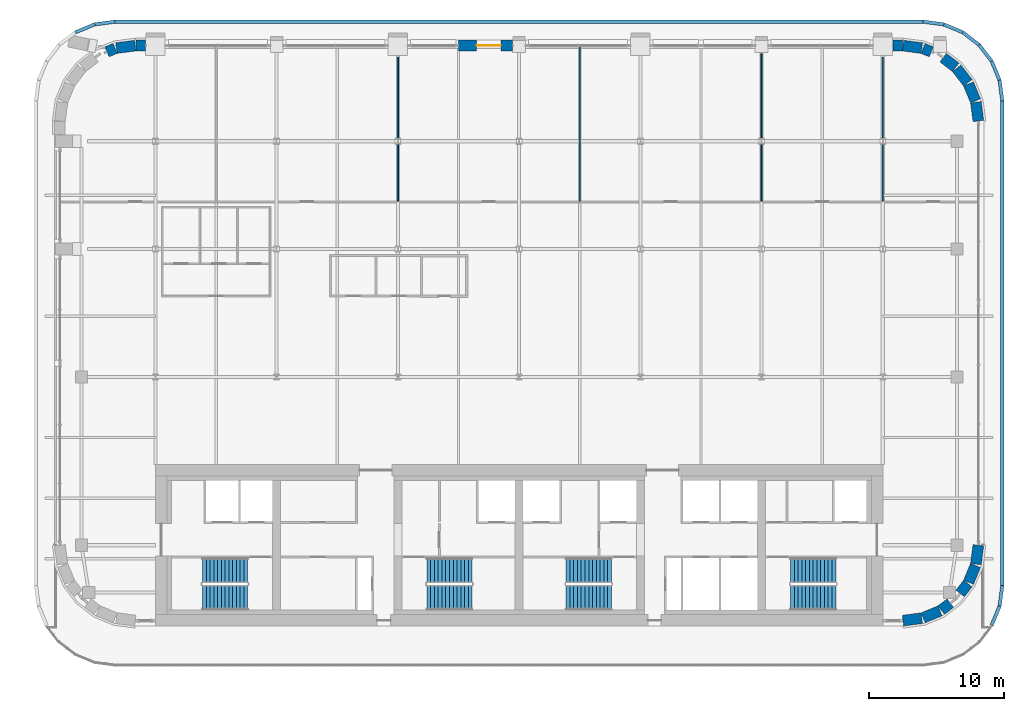
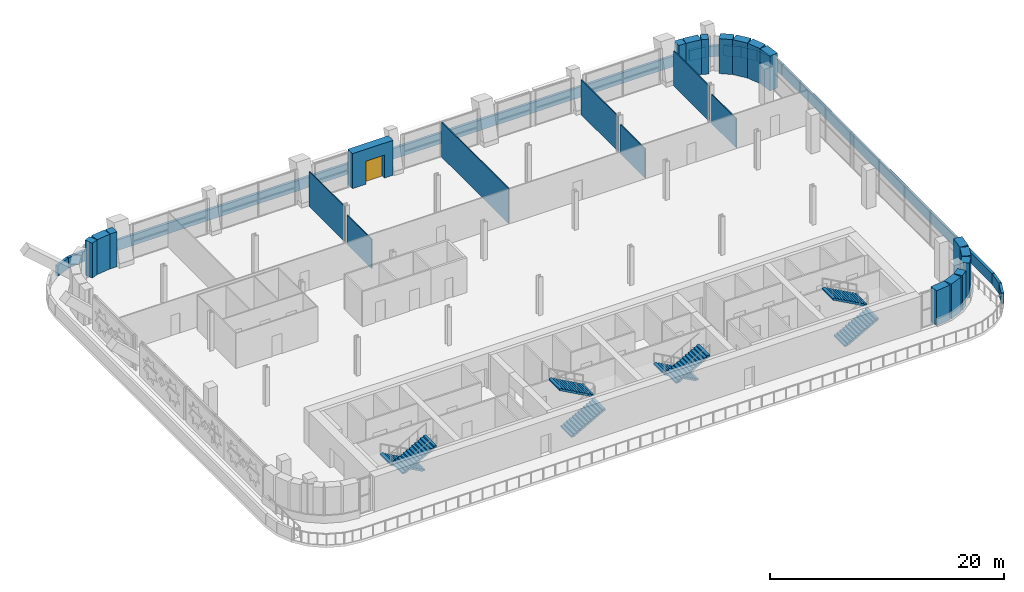
# One storey, part 16 of 23: 36 walls, 8 stair flights, 1 door, 1 opening, 4 elements without a shape of their own.
"""IFC4 building model written with IfcOpenShell, lengths in metres."""

import ifcopenshell
import ifcopenshell.guid

model = None  # the IFC model being written
_history = None  # IfcOwnerHistory: only IFC2X3 demands one
_inside = {}  # id of a spatial element -> (the spatial element, [elements in it])
_under = {}  # id of a project, library or spatial element -> (it, [spatial elements below it])
_declared = {}  # id of a project -> (the project, [libraries it declares])
_typed = {}  # id of a type object -> (the type object, [elements of that type])
_made_of = {}  # id of a material, layer set ... -> (it, [elements and type objects made of it])


def new_model(schema):
    """Start an empty IFC model of exactly this schema.

    Asked for "IFC4X3", IfcOpenShell would pick the latest addendum, in which some entities
    have other attributes; the version numbers below select the first issue.
    IFC2X3 requires an IfcOwnerHistory on every rooted entity: one is made here for all.
    """
    global model, _history
    if schema == "IFC4X3":
        model = ifcopenshell.file(schema_version=(4, 3, 0, 0))
    else:
        model = ifcopenshell.file(schema=schema)
    _inside.clear()
    _under.clear()
    _declared.clear()
    _typed.clear()
    _made_of.clear()
    _history = None
    if model.schema == "IFC2X3":
        org = make("IfcOrganization", Name="unknown")
        user = make(
            "IfcPersonAndOrganization",
            ThePerson=make("IfcPerson", FamilyName="unknown"),
            TheOrganization=org,
        )
        app = make(
            "IfcApplication",
            ApplicationDeveloper=org,
            Version="unknown",
            ApplicationFullName="unknown",
            ApplicationIdentifier="unknown",
        )
        _history = make(
            "IfcOwnerHistory",
            OwningUser=user,
            OwningApplication=app,
            ChangeAction="ADDED",
            CreationDate=0,
        )
    return model


def make(cls, **values):
    """One entity of the class cls with the attributes given. An attribute that is None is left unset."""
    return model.create_entity(
        cls, **{name: value for name, value in values.items() if value is not None}
    )


def rooted(cls, **values):
    """An entity with a GlobalId (a new one), such as an element, a storey or a relation."""
    return make(cls, GlobalId=ifcopenshell.guid.new(), OwnerHistory=_history, **values)


def si_unit(unit_type, name, prefix=None):
    """IfcSIUnit, for example si_unit("LENGTHUNIT", "METRE", prefix="MILLI")."""
    return make("IfcSIUnit", UnitType=unit_type, Prefix=prefix, Name=name)


def assignment(units):
    """IfcUnitAssignment: the units of a project."""
    return None if units is None else make("IfcUnitAssignment", Units=units)


def point(xyz):
    """IfcCartesianPoint."""
    return None if xyz is None else make("IfcCartesianPoint", Coordinates=xyz)


def direction(xyz):
    """IfcDirection."""
    return None if xyz is None else make("IfcDirection", DirectionRatios=xyz)


def frame(location, z_axis=None, x_axis=None):
    """IfcAxis2Placement3D, a coordinate frame: its origin and axes. An axis left out is left unset."""
    return make(
        "IfcAxis2Placement3D",
        Location=point(location),
        Axis=direction(z_axis),
        RefDirection=direction(x_axis),
    )


def frame_2d(location, x_axis=None):
    """IfcAxis2Placement2D, a coordinate frame in the plane: its origin and x axis."""
    return make(
        "IfcAxis2Placement2D", Location=point(location), RefDirection=direction(x_axis)
    )


def origin():
    """The frame at (0, 0, 0) with its axes left unset."""
    return frame((0.0, 0.0, 0.0))


def place(relative_to, where):
    """IfcLocalPlacement: puts the frame where relative to a parent placement (None: the world)."""
    return make(
        "IfcLocalPlacement", PlacementRelTo=relative_to, RelativePlacement=where
    )


def context(
    kind, dimensions, precision=None, world=None, true_north=None, identifier=None
):
    """IfcGeometricRepresentationContext, for example the 3D "Model" context."""
    return make(
        "IfcGeometricRepresentationContext",
        ContextIdentifier=identifier,
        ContextType=kind,
        CoordinateSpaceDimension=dimensions,
        Precision=precision,
        WorldCoordinateSystem=world,
        TrueNorth=true_north,
    )


def subcontext(parent, identifier, kind, view, scale=None):
    """IfcGeometricRepresentationSubContext, for example "Body" below "Model"."""
    return make(
        "IfcGeometricRepresentationSubContext",
        ContextIdentifier=identifier,
        ContextType=kind,
        ParentContext=parent,
        TargetScale=scale,
        TargetView=view,
    )


def project(units=None, contexts=None):
    """IfcProject with its units and contexts."""
    return rooted(
        "IfcProject",
        Name="project",
        RepresentationContexts=contexts,
        UnitsInContext=assignment(units),
    )


def spatial(cls, under=None, at=None, **own):
    """A site, building, storey or space (cls), placed at a placement, below another one or the project."""
    s = rooted(cls, ObjectPlacement=at, **own)
    if under is not None:
        _under.setdefault(under.id(), (under, []))[1].append(s)
    return s


def polyline(points):
    """IfcPolyline through the points."""
    return make("IfcPolyline", Points=[point(p) for p in points])


def profile(cls, at=None, kind="AREA", **sizes):
    """A parametric profile (cls). Its sizes go by their IFC names, for example OverallWidth=200.0."""
    return make(cls, ProfileType=kind, Position=at, **sizes)


def rectangle(**sizes):
    """IfcRectangleProfileDef."""
    return profile("IfcRectangleProfileDef", **sizes)


def outline(outer, holes=None, kind="AREA"):
    """IfcArbitraryClosedProfileDef: a profile drawn as a closed curve; with holes, ...WithVoids."""
    if holes is None:
        return make("IfcArbitraryClosedProfileDef", ProfileType=kind, OuterCurve=outer)
    return make(
        "IfcArbitraryProfileDefWithVoids",
        ProfileType=kind,
        OuterCurve=outer,
        InnerCurves=holes,
    )


def extrude(swept, where, along, depth):
    """IfcExtrudedAreaSolid: the profile swept, set in the frame where, extruded along a direction by depth."""
    return make(
        "IfcExtrudedAreaSolid",
        SweptArea=swept,
        Position=where,
        ExtrudedDirection=direction(along),
        Depth=depth,
    )


def shape(context_of_items, identifier, shape_type, items):
    """IfcShapeRepresentation: the items that make up one representation, for example the "Body"."""
    return make(
        "IfcShapeRepresentation",
        ContextOfItems=context_of_items,
        RepresentationIdentifier=identifier,
        RepresentationType=shape_type,
        Items=items,
    )


def material(Name=None, Category=None):
    """IfcMaterial."""
    return make("IfcMaterial", Name=Name, Category=Category)


def layer(
    of_material, thickness, ventilated=None, Name=None, Category=None, Priority=None
):
    """IfcMaterialLayer: one layer of a wall or slab, of a material (None: an air gap)."""
    return make(
        "IfcMaterialLayer",
        Material=of_material,
        LayerThickness=thickness,
        IsVentilated=ventilated,
        Name=Name,
        Category=Category,
        Priority=Priority,
    )


def layer_set(layers, Name=None):
    """IfcMaterialLayerSet."""
    return make("IfcMaterialLayerSet", MaterialLayers=layers, LayerSetName=Name)


def made_of(thing, what):
    """Note that an element or type object is made of a material, layer set ...; save() writes the relation."""
    if what is not None:
        _made_of.setdefault(what.id(), (what, []))[1].append(thing)
    return thing


def type_object(cls, material=None, **own):
    """A type object (cls), such as IfcWallType, which elements share."""
    return made_of(rooted(cls, **own), material)


def element(
    cls,
    number,
    at=None,
    inside=None,
    cuts=None,
    type_object=None,
    material=None,
    context=None,
    identifier="Body",
    shape_type=None,
    held_by="IfcProductDefinitionShape",
    body=None,
    shapes=None,
    **own,
):
    """One element of the class cls, such as IfcWall. Its Tag is "e" and its number.

    at: its placement. inside: the storey or other place that contains it. cuts: it is an
    opening in that element (IfcRelVoidsElement). A single representation is given by context,
    identifier, shape_type and body (its items); several are given by shapes. held_by: the class
    of the entity that holds the representations. save() writes the other relations.
    """
    e = rooted(cls, Tag="e%d" % number, ObjectPlacement=at, **own)
    if body is not None:
        shapes = [shape(context, identifier, shape_type, body)]
    if shapes is not None:
        e.Representation = make(held_by, Representations=shapes)
    if inside is not None:
        _inside.setdefault(inside.id(), (inside, []))[1].append(e)
    if cuts is not None:
        rooted(
            "IfcRelVoidsElement", RelatingBuildingElement=cuts, RelatedOpeningElement=e
        )
    if type_object is not None:
        _typed.setdefault(type_object.id(), (type_object, []))[1].append(e)
    return made_of(e, material)


def fill(opening, filler):
    """IfcRelFillsElement: the door or window that sits in an opening."""
    return rooted(
        "IfcRelFillsElement",
        RelatingOpeningElement=opening,
        RelatedBuildingElement=filler,
    )


def aggregate(whole, parts):
    """IfcRelAggregates: a whole, such as a stair, and the parts it consists of."""
    return rooted("IfcRelAggregates", RelatingObject=whole, RelatedObjects=parts)


def save(model, path):
    """Write the relations noted so far, then the file.

    IfcRelAggregates (storeys below a building ...), IfcRelContainedInSpatialStructure (elements
    in a storey), IfcRelDefinesByType, IfcRelAssociatesMaterial and IfcRelDeclares: one each for
    every whole, place, type object, material and project.
    """
    for whole, parts in _under.values():
        aggregate(whole, parts)
    for where, things in _inside.values():
        rooted(
            "IfcRelContainedInSpatialStructure",
            RelatedElements=things,
            RelatingStructure=where,
        )
    for kind, things in _typed.values():
        rooted("IfcRelDefinesByType", RelatedObjects=things, RelatingType=kind)
    for what, things in _made_of.values():
        rooted("IfcRelAssociatesMaterial", RelatedObjects=things, RelatingMaterial=what)
    for by, libraries in _declared.values():
        rooted("IfcRelDeclares", RelatingContext=by, RelatedDefinitions=libraries)
    model.write(path)


model = new_model("IFC4")

# Units and contexts
model_context = context("Model", 3, precision=1e-05, world=origin(), true_north=direction((0.0, 1.0)))
body_context = subcontext(model_context, "Body", "Model", "MODEL_VIEW")
ifc_project = project(units=[si_unit("LENGTHUNIT", "METRE"), si_unit("AREAUNIT", "SQUARE_METRE"), si_unit("VOLUMEUNIT", "CUBIC_METRE"), si_unit("PLANEANGLEUNIT", "RADIAN"), si_unit("MASSUNIT", "GRAM", prefix="KILO")], contexts=[model_context])

# Site, building, storey
site_placement = place(None, origin())
site = spatial("IfcSite", under=ifc_project, at=site_placement, CompositionType="ELEMENT")
building_placement = place(site_placement, origin())
building = spatial("IfcBuilding", under=site, at=building_placement, Name="Zellij Exchange Tower", CompositionType="ELEMENT")
storey_placement = place(building_placement, frame((0.0, 0.0, 212.5)))
storey = spatial("IfcBuildingStorey", under=building, at=storey_placement, Name="L49", CompositionType="ELEMENT", Elevation=212.5)

# Walls
ifc_material_1 = material(Name="Precast concrete C40/50", Category="concrete")
ifc_layer_1 = layer(ifc_material_1, 0.800048828125)
ifc_layer_set_1 = layer_set([ifc_layer_1], Name="Precast concrete C40/50")
wall_type_1 = type_object("IfcWallType", Name="ENV-EW1 Precast stone-piered wall 800", PredefinedType="SOLIDWALL", material=ifc_layer_set_1)
wall_1_placement = place(storey_placement, frame((28.499755859375, -13.5966796875, 0.0), z_axis=(0.0, 0.0, 1.0), x_axis=(0.99144603414, 0.130517283865, 0.0)))
element("IfcWall", 1, at=wall_1_placement, inside=storey, type_object=wall_type_1, Name="fac.L49.01", PredefinedType="SOLIDWALL", context=body_context, shape_type="SweptSolid", body=[
    extrude(rectangle(XDim=1.408447265625, YDim=0.800048828125, at=frame_2d((0.7041015625, 0.0))), origin(), (0.0, 0.0, 1.0), 3.64990234375),
])
wall_2_placement = place(storey_placement, frame((29.997314453125, -13.3857421875, 0.0), z_axis=(0.0, 0.0, 1.0), x_axis=(0.923847774587, 0.38276009378, 0.0)))
element("IfcWall", 2, at=wall_2_placement, inside=storey, type_object=wall_type_1, Name="fac.L49.02", PredefinedType="SOLIDWALL", context=body_context, shape_type="SweptSolid", body=[
    extrude(rectangle(XDim=1.35546875, YDim=0.800048828125, at=frame_2d((0.677734375, 0.0))), origin(), (0.0, 0.0, 1.0), 3.64990234375),
])
wall_3_placement = place(storey_placement, frame((31.340087890625, -12.814697265625, 0.0), z_axis=(0.0, 0.0, 1.0), x_axis=(0.793361000707, 0.608751445631, 0.0)))
element("IfcWall", 3, at=wall_3_placement, inside=storey, type_object=wall_type_1, Name="fac.L49.03", PredefinedType="SOLIDWALL", context=body_context, shape_type="SweptSolid", body=[
    extrude(rectangle(XDim=0.84912109375, YDim=0.800048828125, at=frame_2d((0.424560546875, 0.0))), origin(), (0.0, 0.0, 1.0), 3.64990234375),
])
wall_4_placement = place(storey_placement, frame((32.747802734375, -11.578857421875, 0.0), z_axis=(0.0, 0.0, 1.0), x_axis=(0.608772738221, 0.793344662299, 0.0)))
element("IfcWall", 4, at=wall_4_placement, inside=storey, type_object=wall_type_1, Name="fac.L49.04", PredefinedType="SOLIDWALL", context=body_context, shape_type="SweptSolid", body=[
    extrude(rectangle(XDim=0.93115234375, YDim=0.800048828125, at=frame_2d((0.465576171875, 0.0))), origin(), (0.0, 0.0, 1.0), 3.64990234375),
])
wall_5_placement = place(storey_placement, frame((33.366943359375, -10.74951171875, 0.0), z_axis=(0.0, 0.0, 1.0), x_axis=(0.38276009378, 0.923847774587, 0.0)))
element("IfcWall", 5, at=wall_5_placement, inside=storey, type_object=wall_type_1, Name="fac.L49.05", PredefinedType="SOLIDWALL", context=body_context, shape_type="SweptSolid", body=[
    extrude(rectangle(XDim=1.35546875, YDim=0.800048828125, at=frame_2d((0.677734375, 0.0))), origin(), (0.0, 0.0, 1.0), 3.64990234375),
])
for number, where, z_axis, x_axis, name in (
    (6, (33.912841796875, -9.396240234375, 0.0), (0.0, 0.0, 1.0), (0.130517283865, 0.99144603414, 0.0), "fac.L49.06"),
    (7, (34.0966796875, 23.499755859375, 0.0), (0.0, 0.0, 1.0), (-0.130517283865, 0.99144603414, 0.0), "fac.L49.08"),
):
    element("IfcWall", number, at=place(storey_placement, frame(where, z_axis=z_axis, x_axis=x_axis)), inside=storey, type_object=wall_type_1, Name=name, PredefinedType="SOLIDWALL", context=body_context, shape_type="SweptSolid", body=[
        extrude(rectangle(XDim=1.408447265625, YDim=0.800048828125, at=frame_2d((0.7041015625, 0.0))), origin(), (0.0, 0.0, 1.0), 3.64990234375),
    ])
wall_6_placement = place(storey_placement, frame((33.8857421875, 24.997314453125, 0.0), z_axis=(0.0, 0.0, 1.0), x_axis=(-0.38276009378, 0.923847774587, 0.0)))
element("IfcWall", 8, at=wall_6_placement, inside=storey, type_object=wall_type_1, Name="fac.L49.09", PredefinedType="SOLIDWALL", context=body_context, shape_type="SweptSolid", body=[
    extrude(rectangle(XDim=1.35546875, YDim=0.800048828125, at=frame_2d((0.677734375, 0.0))), origin(), (0.0, 0.0, 1.0), 3.64990234375),
])
wall_7_placement = place(storey_placement, frame((33.314697265625, 26.340087890625, 0.0), z_axis=(0.0, 0.0, 1.0), x_axis=(-0.608866226366, 0.793272915452, 0.0)))
element("IfcWall", 9, at=wall_7_placement, inside=storey, type_object=wall_type_1, Name="fac.L49.10", PredefinedType="SOLIDWALL", context=body_context, shape_type="SweptSolid", body=[
    extrude(rectangle(XDim=1.355712890625, YDim=0.800048828125, at=frame_2d((0.677734375, 0.0))), origin(), (0.0, 0.0, 1.0), 3.64990234375),
])
wall_8_placement = place(storey_placement, frame((32.41552734375, 27.4892578125, 0.0), z_axis=(0.0, 0.0, 1.0), x_axis=(-0.793321035123, 0.608803527611, 0.0)))
element("IfcWall", 10, at=wall_8_placement, inside=storey, type_object=wall_type_1, Name="fac.L49.11", PredefinedType="SOLIDWALL", context=body_context, shape_type="SweptSolid", body=[
    extrude(rectangle(XDim=1.1708984375, YDim=0.800048828125, at=frame_2d((0.58544921875, 0.0))), origin(), (0.0, 0.0, 1.0), 3.64990234375),
])
wall_9_placement = place(storey_placement, frame((30.6005859375, 28.6357421875, 0.0), z_axis=(0.0, 0.0, 1.0), x_axis=(-0.923816299568, 0.382836054536, 0.0)))
element("IfcWall", 11, at=wall_9_placement, inside=storey, type_object=wall_type_1, Name="fac.L49.12", PredefinedType="SOLIDWALL", context=body_context, shape_type="SweptSolid", body=[
    extrude(rectangle(XDim=0.653076171875, YDim=0.800048828125, at=frame_2d((0.32666015625, 0.0))), origin(), (0.0, 0.0, 1.0), 3.64990234375),
])
wall_10_placement = place(storey_placement, frame((29.896240234375, 28.912841796875, 0.0), z_axis=(0.0, 0.0, 1.0), x_axis=(-0.99144603414, 0.130517283865, 0.0)))
element("IfcWall", 12, at=wall_10_placement, inside=storey, type_object=wall_type_1, Name="fac.L49.13", PredefinedType="SOLIDWALL", context=body_context, shape_type="SweptSolid", body=[
    extrude(rectangle(XDim=1.408447265625, YDim=0.800048828125, at=frame_2d((0.7041015625, 0.0))), origin(), (0.0, 0.0, 1.0), 3.64990234375),
])
wall_11_placement = place(storey_placement, frame((28.447509765625, 29.10009765625, 0.0), z_axis=(0.0, 0.0, 1.0), x_axis=(-1.0, 0.0, 0.0)))
element("IfcWall", 13, at=wall_11_placement, inside=storey, type_object=wall_type_1, Name="fac.L49.14a", PredefinedType="SOLIDWALL", context=body_context, shape_type="SweptSolid", body=[
    extrude(rectangle(XDim=0.697509765625, YDim=0.800048828125, at=frame_2d((0.3486328125, 0.0))), origin(), (0.0, 0.0, 1.0), 3.64990234375),
])

# Wall, opening, door
wall_12_placement = place(storey_placement, frame((-0.5, 29.10009765625, 0.0), z_axis=(0.0, 0.0, 1.0), x_axis=(-1.0, 0.0, 0.0)))
wall_12 = element("IfcWall", 14, at=wall_12_placement, inside=storey, type_object=wall_type_1, Name="fac.L49.14f", PredefinedType="SOLIDWALL", context=body_context, shape_type="SweptSolid", body=[
    extrude(rectangle(XDim=4.0, YDim=0.800048828125, at=frame_2d((2.0, 0.0))), origin(), (0.0, 0.0, 1.0), 3.64990234375),
])
opening_placement = place(wall_12_placement, frame((0.85009765625, 0.0, 0.0)))
opening = element("IfcOpeningElement", 15, at=opening_placement, cuts=wall_12, Name="Opening FT3.14", PredefinedType="OPENING", context=body_context, shape_type="SweptSolid", body=[
    extrude(rectangle(XDim=1.800048828125, YDim=2.39990234375, at=frame_2d((0.89990234375, 1.199951171875))), frame((0.0, 0.412109375, 0.0), z_axis=(0.0, -1.0, 0.0), x_axis=(1.0, 0.0, 0.0)), (0.0, 0.0, 1.0), 0.823974609375),
])
ifc_material_2 = material(Name="Aluminium and glass terrace door", Category="aluminium")
door_type = type_object("IfcDoorType", Name="ENV-ED5 Terrace door 1800x2400", OperationType="DOUBLE_DOOR_SINGLE_SWING", PredefinedType="DOOR", material=ifc_material_2)
door_placement = place(opening_placement, origin())
door = element("IfcDoor", 16, at=door_placement, inside=storey, type_object=door_type, Name="Terrace door FT3.14", OperationType="DOUBLE_DOOR_SINGLE_SWING", OverallHeight=2.39990234375, OverallWidth=1.800048828125, PredefinedType="DOOR", context=body_context, shape_type="SweptSolid", body=[
    extrude(rectangle(XDim=1.800048828125, YDim=2.39990234375, at=frame_2d((0.89990234375, 1.199951171875))), frame((0.0, 0.02490234375, 0.0), z_axis=(0.0, -1.0, 0.0), x_axis=(1.0, 0.0, 0.0)), (0.0, 0.0, 1.0), 0.050048828125),
])
fill(opening, door)

# Walls
wall_13_placement = place(storey_placement, frame((-27.75, 29.10009765625, 0.0), z_axis=(0.0, 0.0, 1.0), x_axis=(-1.0, 0.0, 0.0)))
element("IfcWall", 17, at=wall_13_placement, inside=storey, type_object=wall_type_1, Name="fac.L49.14j", PredefinedType="SOLIDWALL", context=body_context, shape_type="SweptSolid", body=[
    extrude(rectangle(XDim=0.697509765625, YDim=0.800048828125, at=frame_2d((0.3486328125, 0.0))), origin(), (0.0, 0.0, 1.0), 3.64990234375),
])
wall_14_placement = place(storey_placement, frame((-28.499755859375, 29.0966796875, 0.0), z_axis=(0.0, 0.0, 1.0), x_axis=(-0.99144603414, -0.130517283865, 0.0)))
element("IfcWall", 18, at=wall_14_placement, inside=storey, type_object=wall_type_1, Name="fac.L49.15", PredefinedType="SOLIDWALL", context=body_context, shape_type="SweptSolid", body=[
    extrude(rectangle(XDim=1.408447265625, YDim=0.800048828125, at=frame_2d((0.7041015625, 0.0))), origin(), (0.0, 0.0, 1.0), 3.64990234375),
])
wall_15_placement = place(storey_placement, frame((-29.997314453125, 28.8857421875, 0.0), z_axis=(0.0, 0.0, 1.0), x_axis=(-0.923816299568, -0.382836054536, 0.0)))
element("IfcWall", 19, at=wall_15_placement, inside=storey, type_object=wall_type_1, Name="fac.L49.16", PredefinedType="SOLIDWALL", context=body_context, shape_type="SweptSolid", body=[
    extrude(rectangle(XDim=0.653076171875, YDim=0.800048828125, at=frame_2d((0.32666015625, 0.0))), origin(), (0.0, 0.0, 1.0), 3.64990234375),
])
ifc_layer_2 = layer(ifc_material_1, 0.25)
ifc_layer_set_2 = layer_set([ifc_layer_2], Name="Precast concrete C40/50")
wall_type_2 = type_object("IfcWallType", Name="ENV-PR1 Parapet 250", PredefinedType="PARAPET", material=ifc_layer_set_2)
wall_16_placement = place(storey_placement, frame((35.080810546875, -13.9521484375, 0.0), z_axis=(0.0, 0.0, 1.0), x_axis=(0.382590843138, 0.923917878789, 0.0)))
element("IfcWall", 20, at=wall_16_placement, inside=storey, type_object=wall_type_2, Name="fac.par.L49.02.01.01", PredefinedType="PARAPET", context=body_context, shape_type="SweptSolid", body=[
    extrude(rectangle(XDim=1.533447265625, YDim=0.25, at=frame_2d((0.7666015625, 0.0))), origin(), (0.0, 0.0, 1.0), 1.10009765625),
])
wall_17_placement = place(storey_placement, frame((35.676025390625, -12.50390625, 0.0), z_axis=(0.0, 0.0, 1.0), x_axis=(0.130371242108, 0.991465248625, 0.0)))
element("IfcWall", 21, at=wall_17_placement, inside=storey, type_object=wall_type_2, Name="fac.par.L49.02.01.02", PredefinedType="PARAPET", context=body_context, shape_type="SweptSolid", body=[
    extrude(rectangle(XDim=1.516845703125, YDim=0.25, at=frame_2d((0.75830078125, 0.0))), origin(), (0.0, 0.0, 1.0), 1.10009765625),
])
wall_18_placement = place(storey_placement, frame((35.875, -10.983642578125, 0.0), z_axis=(0.0, 0.0, 1.0), x_axis=(0.0, 1.0, 0.0)))
element("IfcWall", 22, at=wall_18_placement, inside=storey, type_object=wall_type_2, Name="fac.par.L49.02.01.03", PredefinedType="PARAPET", context=body_context, shape_type="SweptSolid", body=[
    extrude(rectangle(XDim=35.96728515625, YDim=0.25, at=frame_2d((17.983642578125, 0.0))), origin(), (0.0, 0.0, 1.0), 1.10009765625),
])
wall_19_placement = place(storey_placement, frame((35.873779296875, 25.0, 0.0), z_axis=(0.0, 0.0, 1.0), x_axis=(-0.130371242108, 0.991465248625, 0.0)))
element("IfcWall", 23, at=wall_19_placement, inside=storey, type_object=wall_type_2, Name="fac.par.L49.02.01.04", PredefinedType="PARAPET", context=body_context, shape_type="SweptSolid", body=[
    extrude(rectangle(XDim=1.516845703125, YDim=0.25, at=frame_2d((0.75830078125, 0.0))), origin(), (0.0, 0.0, 1.0), 1.10009765625),
])
for number, where, z_axis, x_axis, name in (
    (24, (35.66748046875, 26.535400390625, 0.0), (0.0, 0.0, 1.0), (-0.382696680739, 0.923874044744, 0.0), "fac.par.L49.02.01.05"),
    (25, (35.076904296875, 27.949951171875, 0.0), (0.0, 0.0, 1.0), (-0.608711614562, 0.793391561776, 0.0), "fac.par.L49.02.01.06"),
    (26, (34.140380859375, 29.16357421875, 0.0), (0.0, 0.0, 1.0), (-0.793391561776, 0.608711614562, 0.0), "fac.par.L49.02.01.07"),
    (27, (32.921630859375, 30.09326171875, 0.0), (0.0, 0.0, 1.0), (-0.923874044744, 0.382696680739, 0.0), "fac.par.L49.02.01.08"),
):
    element("IfcWall", number, at=place(storey_placement, frame(where, z_axis=z_axis, x_axis=x_axis)), inside=storey, type_object=wall_type_2, Name=name, PredefinedType="PARAPET", context=body_context, shape_type="SweptSolid", body=[
        extrude(rectangle(XDim=1.50048828125, YDim=0.25, at=frame_2d((0.750244140625, 0.0))), origin(), (0.0, 0.0, 1.0), 1.10009765625),
    ])
wall_20_placement = place(storey_placement, frame((31.50390625, 30.676025390625, 0.0), z_axis=(0.0, 0.0, 1.0), x_axis=(-0.991465248625, 0.130371242108, 0.0)))
element("IfcWall", 28, at=wall_20_placement, inside=storey, type_object=wall_type_2, Name="fac.par.L49.02.01.09", PredefinedType="PARAPET", context=body_context, shape_type="SweptSolid", body=[
    extrude(rectangle(XDim=1.516845703125, YDim=0.25, at=frame_2d((0.75830078125, 0.0))), origin(), (0.0, 0.0, 1.0), 1.10009765625),
])
wall_21_placement = place(storey_placement, frame((29.983642578125, 30.875, 0.0), z_axis=(0.0, 0.0, 1.0), x_axis=(-1.0, 0.0, 0.0)))
element("IfcWall", 29, at=wall_21_placement, inside=storey, type_object=wall_type_2, Name="fac.par.L49.02.01.10", PredefinedType="PARAPET", context=body_context, shape_type="SweptSolid", body=[
    extrude(rectangle(XDim=59.96728515625, YDim=0.25, at=frame_2d((29.983642578125, 0.0))), origin(), (0.0, 0.0, 1.0), 1.10009765625),
])
wall_22_placement = place(storey_placement, frame((-30.0, 30.873779296875, 0.0), z_axis=(0.0, 0.0, 1.0), x_axis=(-0.991465248625, -0.130371242108, 0.0)))
element("IfcWall", 30, at=wall_22_placement, inside=storey, type_object=wall_type_2, Name="fac.par.L49.02.01.11", PredefinedType="PARAPET", context=body_context, shape_type="SweptSolid", body=[
    extrude(rectangle(XDim=1.516845703125, YDim=0.25, at=frame_2d((0.75830078125, 0.0))), origin(), (0.0, 0.0, 1.0), 1.10009765625),
])
wall_23_placement = place(storey_placement, frame((-31.535400390625, 30.66748046875, 0.0), z_axis=(0.0, 0.0, 1.0), x_axis=(-0.923874044744, -0.382696680739, 0.0)))
element("IfcWall", 31, at=wall_23_placement, inside=storey, type_object=wall_type_2, Name="fac.par.L49.02.01.12", PredefinedType="PARAPET", context=body_context, shape_type="SweptSolid", body=[
    extrude(rectangle(XDim=1.50048828125, YDim=0.25, at=frame_2d((0.750244140625, 0.0))), origin(), (0.0, 0.0, 1.0), 1.10009765625),
])
ifc_material_3 = material(Name="Gypsum board partition on steel studs", Category="steel")
ifc_layer_3 = layer(ifc_material_3, 0.10009765625)
ifc_layer_set_3 = layer_set([ifc_layer_3], Name="Gypsum board partition on steel studs")
wall_type_3 = type_object("IfcWallType", Name="FIT-PARTITION-100", PredefinedType="PARTITIONING", material=ifc_layer_set_3)
wall_24_placement = place(storey_placement, frame((-9.0, 17.550048828125, 0.0), z_axis=(0.0, 0.0, 1.0), x_axis=(0.0, 1.0, 0.0)))
element("IfcWall", 32, at=wall_24_placement, inside=storey, type_object=wall_type_3, Name="FIT-PARTITION-100 018", PredefinedType="PARTITIONING", context=body_context, shape_type="SweptSolid", body=[
    extrude(rectangle(XDim=4.23779296875, YDim=0.10009765625, at=frame_2d((2.118896484375, 0.0))), origin(), (0.0, 0.0, 1.0), 3.04296875),
])
wall_25_placement = place(storey_placement, frame((-9.0, 22.212158203125, 0.0), z_axis=(0.0, 0.0, 1.0), x_axis=(0.0, 1.0, 0.0)))
element("IfcWall", 33, at=wall_25_placement, inside=storey, type_object=wall_type_3, Name="FIT-PARTITION-100 019", PredefinedType="PARTITIONING", context=body_context, shape_type="SweptSolid", body=[
    extrude(rectangle(XDim=6.037841796875, YDim=0.10009765625, at=frame_2d((3.01904296875, 0.0))), origin(), (0.0, 0.0, 1.0), 3.64990234375),
])
wall_26_placement = place(storey_placement, frame((4.5, 17.550048828125, 0.0), z_axis=(0.0, 0.0, 1.0), x_axis=(0.0, 1.0, 0.0)))
element("IfcWall", 34, at=wall_26_placement, inside=storey, type_object=wall_type_3, Name="FIT-PARTITION-100 020", PredefinedType="PARTITIONING", context=body_context, shape_type="SweptSolid", body=[
    extrude(rectangle(XDim=11.446044921875, YDim=0.10009765625, at=frame_2d((5.72314453125, 0.0))), origin(), (0.0, 0.0, 1.0), 3.64990234375),
])
wall_27_placement = place(storey_placement, frame((18.0, 17.550048828125, 0.0), z_axis=(0.0, 0.0, 1.0), x_axis=(0.0, 1.0, 0.0)))
element("IfcWall", 35, at=wall_27_placement, inside=storey, type_object=wall_type_3, Name="FIT-PARTITION-100 021", PredefinedType="PARTITIONING", context=body_context, shape_type="SweptSolid", body=[
    extrude(rectangle(XDim=4.23779296875, YDim=0.10009765625, at=frame_2d((2.118896484375, 0.0))), origin(), (0.0, 0.0, 1.0), 3.04296875),
])
wall_28_placement = place(storey_placement, frame((18.0, 22.212158203125, 0.0), z_axis=(0.0, 0.0, 1.0), x_axis=(0.0, 1.0, 0.0)))
element("IfcWall", 36, at=wall_28_placement, inside=storey, type_object=wall_type_3, Name="FIT-PARTITION-100 022", PredefinedType="PARTITIONING", context=body_context, shape_type="SweptSolid", body=[
    extrude(rectangle(XDim=6.287841796875, YDim=0.10009765625, at=frame_2d((3.14404296875, 0.0))), origin(), (0.0, 0.0, 1.0), 3.64990234375),
])
wall_29_placement = place(storey_placement, frame((27.0, 17.550048828125, 0.0), z_axis=(0.0, 0.0, 1.0), x_axis=(0.0, 1.0, 0.0)))
element("IfcWall", 37, at=wall_29_placement, inside=storey, type_object=wall_type_3, Name="FIT-PARTITION-100 023", PredefinedType="PARTITIONING", context=body_context, shape_type="SweptSolid", body=[
    extrude(rectangle(XDim=4.23779296875, YDim=0.10009765625, at=frame_2d((2.118896484375, 0.0))), origin(), (0.0, 0.0, 1.0), 3.04296875),
])
wall_30_placement = place(storey_placement, frame((27.0, 22.212158203125, 0.0), z_axis=(0.0, 0.0, 1.0), x_axis=(0.0, 1.0, 0.0)))
element("IfcWall", 38, at=wall_30_placement, inside=storey, type_object=wall_type_3, Name="FIT-PARTITION-100 024", PredefinedType="PARTITIONING", context=body_context, shape_type="SweptSolid", body=[
    extrude(rectangle(XDim=6.037841796875, YDim=0.10009765625, at=frame_2d((3.01904296875, 0.0))), origin(), (0.0, 0.0, 1.0), 3.64990234375),
])

# Stair, stair flights
ifc_material_4 = material(Name="Concrete C40/50", Category="concrete")
stair_type = type_object("IfcStairType", Name="CORE-ST exit stair 1850 wide", PredefinedType="HALF_TURN_STAIR", material=ifc_material_4)
stair_1_placement = place(storey_placement, origin())
stair_1 = element("IfcStair", 39, at=stair_1_placement, inside=storey, type_object=stair_type, Name="L49 exit stair ST1", PredefinedType="HALF_TURN_STAIR")
stair_flight_type = type_object("IfcStairFlightType", Name="CORE-SF flight 1850 riser 153.8 going 280", PredefinedType="STRAIGHT", material=ifc_material_4)
stair_flight_1_placement = place(storey_placement, frame((-20.14990234375, -9.875, 0.0), z_axis=(0.0, 0.0, 1.0), x_axis=(-1.0, 0.0, 0.0)))
stair_flight_1 = element("IfcStairFlight", 40, at=stair_flight_1_placement, type_object=stair_flight_type, Name="ST1 flight 1", NumberOfRisers=13, NumberOfTreads=12, PredefinedType="STRAIGHT", RiserHeight=0.153846154, TreadLength=0.28, context=body_context, shape_type="SweptSolid", body=[
    extrude(outline(polyline([(0.0, 0.0), (0.0, 0.15380859375), (0.280029296875, 0.15380859375), (0.280029296875, 0.3076171875), (0.56005859375, 0.3076171875), (0.56005859375, 0.46142578125), (0.840087890625, 0.46142578125), (0.840087890625, 0.615478515625), (1.1201171875, 0.615478515625), (1.1201171875, 0.769287109375), (1.39990234375, 0.769287109375), (1.39990234375, 0.923095703125), (1.679931640625, 0.923095703125), (1.679931640625, 1.076904296875), (1.9599609375, 1.076904296875), (1.9599609375, 1.230712890625), (2.239990234375, 1.230712890625), (2.239990234375, 1.384521484375), (2.52001953125, 1.384521484375), (2.52001953125, 1.53857421875), (2.800048828125, 1.53857421875), (2.800048828125, 1.6923828125), (3.080078125, 1.6923828125), (3.080078125, 1.84619140625), (3.360107421875, 1.84619140625), (3.360107421875, 2.0), (3.360107421875, 1.675048828125), (0.311279296875, 0.0), (0.0, 0.0)])), frame((0.0, 0.925048828125, 0.0), z_axis=(0.0, -1.0, 0.0), x_axis=(1.0, 0.0, 0.0)), (0.0, 0.0, 1.0), 1.85009765625),
])
stair_flight_2_placement = place(storey_placement, frame((-23.510009765625, -11.875, 2.0), z_axis=(0.0, 0.0, 1.0), x_axis=(1.0, 0.0, 0.0)))
stair_flight_2 = element("IfcStairFlight", 41, at=stair_flight_2_placement, type_object=stair_flight_type, Name="ST1 flight 2", NumberOfRisers=13, NumberOfTreads=12, PredefinedType="STRAIGHT", RiserHeight=0.153846154, TreadLength=0.28, context=body_context, shape_type="SweptSolid", body=[
    extrude(outline(polyline([(0.0, 0.0), (0.0, 0.15380859375), (0.280029296875, 0.15380859375), (0.280029296875, 0.3076171875), (0.56005859375, 0.3076171875), (0.56005859375, 0.46142578125), (0.840087890625, 0.46142578125), (0.840087890625, 0.615478515625), (1.1201171875, 0.615478515625), (1.1201171875, 0.769287109375), (1.39990234375, 0.769287109375), (1.39990234375, 0.923095703125), (1.679931640625, 0.923095703125), (1.679931640625, 1.076904296875), (1.9599609375, 1.076904296875), (1.9599609375, 1.230712890625), (2.239990234375, 1.230712890625), (2.239990234375, 1.384521484375), (2.52001953125, 1.384521484375), (2.52001953125, 1.53857421875), (2.800048828125, 1.53857421875), (2.800048828125, 1.6923828125), (3.080078125, 1.6923828125), (3.080078125, 1.84619140625), (3.360107421875, 1.84619140625), (3.360107421875, 2.0), (3.360107421875, 1.675048828125), (0.311279296875, 0.0), (0.0, 0.0)])), frame((0.0, 0.925048828125, 0.0), z_axis=(0.0, -1.0, 0.0), x_axis=(1.0, 0.0, 0.0)), (0.0, 0.0, 1.0), 1.85009765625),
])
aggregate(stair_1, [stair_flight_1, stair_flight_2])

stair_2_placement = place(storey_placement, origin())
stair_2 = element("IfcStair", 42, at=stair_2_placement, inside=storey, type_object=stair_type, Name="L49 exit stair ST2", PredefinedType="HALF_TURN_STAIR")
stair_flight_3_placement = place(storey_placement, frame((-6.85009765625, -11.875, 0.0), z_axis=(0.0, 0.0, 1.0), x_axis=(1.0, 0.0, 0.0)))
stair_flight_3 = element("IfcStairFlight", 43, at=stair_flight_3_placement, type_object=stair_flight_type, Name="ST2 flight 1", NumberOfRisers=13, NumberOfTreads=12, PredefinedType="STRAIGHT", RiserHeight=0.153846154, TreadLength=0.28, context=body_context, shape_type="SweptSolid", body=[
    extrude(outline(polyline([(0.0, 0.0), (0.0, 0.15380859375), (0.280029296875, 0.15380859375), (0.280029296875, 0.3076171875), (0.56005859375, 0.3076171875), (0.56005859375, 0.46142578125), (0.840087890625, 0.46142578125), (0.840087890625, 0.615478515625), (1.1201171875, 0.615478515625), (1.1201171875, 0.769287109375), (1.39990234375, 0.769287109375), (1.39990234375, 0.923095703125), (1.679931640625, 0.923095703125), (1.679931640625, 1.076904296875), (1.9599609375, 1.076904296875), (1.9599609375, 1.230712890625), (2.239990234375, 1.230712890625), (2.239990234375, 1.384521484375), (2.52001953125, 1.384521484375), (2.52001953125, 1.53857421875), (2.800048828125, 1.53857421875), (2.800048828125, 1.6923828125), (3.080078125, 1.6923828125), (3.080078125, 1.84619140625), (3.360107421875, 1.84619140625), (3.360107421875, 2.0), (3.360107421875, 1.675048828125), (0.311279296875, 0.0), (0.0, 0.0)])), frame((0.0, 0.925048828125, 0.0), z_axis=(0.0, -1.0, 0.0), x_axis=(1.0, 0.0, 0.0)), (0.0, 0.0, 1.0), 1.85009765625),
])
stair_flight_4_placement = place(storey_placement, frame((-3.489990234375, -9.875, 2.0), z_axis=(0.0, 0.0, 1.0), x_axis=(-1.0, 0.0, 0.0)))
stair_flight_4 = element("IfcStairFlight", 44, at=stair_flight_4_placement, type_object=stair_flight_type, Name="ST2 flight 2", NumberOfRisers=13, NumberOfTreads=12, PredefinedType="STRAIGHT", RiserHeight=0.153846154, TreadLength=0.28, context=body_context, shape_type="SweptSolid", body=[
    extrude(outline(polyline([(0.0, 0.0), (0.0, 0.15380859375), (0.280029296875, 0.15380859375), (0.280029296875, 0.3076171875), (0.56005859375, 0.3076171875), (0.56005859375, 0.46142578125), (0.840087890625, 0.46142578125), (0.840087890625, 0.615478515625), (1.1201171875, 0.615478515625), (1.1201171875, 0.769287109375), (1.39990234375, 0.769287109375), (1.39990234375, 0.923095703125), (1.679931640625, 0.923095703125), (1.679931640625, 1.076904296875), (1.9599609375, 1.076904296875), (1.9599609375, 1.230712890625), (2.239990234375, 1.230712890625), (2.239990234375, 1.384521484375), (2.52001953125, 1.384521484375), (2.52001953125, 1.53857421875), (2.800048828125, 1.53857421875), (2.800048828125, 1.6923828125), (3.080078125, 1.6923828125), (3.080078125, 1.84619140625), (3.360107421875, 1.84619140625), (3.360107421875, 2.0), (3.360107421875, 1.675048828125), (0.311279296875, 0.0), (0.0, 0.0)])), frame((0.0, 0.925048828125, 0.0), z_axis=(0.0, -1.0, 0.0), x_axis=(1.0, 0.0, 0.0)), (0.0, 0.0, 1.0), 1.85009765625),
])
aggregate(stair_2, [stair_flight_3, stair_flight_4])

stair_3_placement = place(storey_placement, origin())
stair_3 = element("IfcStair", 45, at=stair_3_placement, inside=storey, type_object=stair_type, Name="L49 exit stair ST3", PredefinedType="HALF_TURN_STAIR")
stair_flight_5_placement = place(storey_placement, frame((6.85009765625, -9.875, 0.0), z_axis=(0.0, 0.0, 1.0), x_axis=(-1.0, 0.0, 0.0)))
stair_flight_5 = element("IfcStairFlight", 46, at=stair_flight_5_placement, type_object=stair_flight_type, Name="ST3 flight 1", NumberOfRisers=13, NumberOfTreads=12, PredefinedType="STRAIGHT", RiserHeight=0.153846154, TreadLength=0.28, context=body_context, shape_type="SweptSolid", body=[
    extrude(outline(polyline([(0.0, 0.0), (0.0, 0.15380859375), (0.280029296875, 0.15380859375), (0.280029296875, 0.3076171875), (0.56005859375, 0.3076171875), (0.56005859375, 0.46142578125), (0.840087890625, 0.46142578125), (0.840087890625, 0.615478515625), (1.1201171875, 0.615478515625), (1.1201171875, 0.769287109375), (1.39990234375, 0.769287109375), (1.39990234375, 0.923095703125), (1.679931640625, 0.923095703125), (1.679931640625, 1.076904296875), (1.9599609375, 1.076904296875), (1.9599609375, 1.230712890625), (2.239990234375, 1.230712890625), (2.239990234375, 1.384521484375), (2.52001953125, 1.384521484375), (2.52001953125, 1.53857421875), (2.800048828125, 1.53857421875), (2.800048828125, 1.6923828125), (3.080078125, 1.6923828125), (3.080078125, 1.84619140625), (3.360107421875, 1.84619140625), (3.360107421875, 2.0), (3.360107421875, 1.675048828125), (0.311279296875, 0.0), (0.0, 0.0)])), frame((0.0, 0.925048828125, 0.0), z_axis=(0.0, -1.0, 0.0), x_axis=(1.0, 0.0, 0.0)), (0.0, 0.0, 1.0), 1.85009765625),
])
stair_flight_6_placement = place(storey_placement, frame((3.489990234375, -11.875, 2.0), z_axis=(0.0, 0.0, 1.0), x_axis=(1.0, 0.0, 0.0)))
stair_flight_6 = element("IfcStairFlight", 47, at=stair_flight_6_placement, type_object=stair_flight_type, Name="ST3 flight 2", NumberOfRisers=13, NumberOfTreads=12, PredefinedType="STRAIGHT", RiserHeight=0.153846154, TreadLength=0.28, context=body_context, shape_type="SweptSolid", body=[
    extrude(outline(polyline([(0.0, 0.0), (0.0, 0.15380859375), (0.280029296875, 0.15380859375), (0.280029296875, 0.3076171875), (0.56005859375, 0.3076171875), (0.56005859375, 0.46142578125), (0.840087890625, 0.46142578125), (0.840087890625, 0.615478515625), (1.1201171875, 0.615478515625), (1.1201171875, 0.769287109375), (1.39990234375, 0.769287109375), (1.39990234375, 0.923095703125), (1.679931640625, 0.923095703125), (1.679931640625, 1.076904296875), (1.9599609375, 1.076904296875), (1.9599609375, 1.230712890625), (2.239990234375, 1.230712890625), (2.239990234375, 1.384521484375), (2.52001953125, 1.384521484375), (2.52001953125, 1.53857421875), (2.800048828125, 1.53857421875), (2.800048828125, 1.6923828125), (3.080078125, 1.6923828125), (3.080078125, 1.84619140625), (3.360107421875, 1.84619140625), (3.360107421875, 2.0), (3.360107421875, 1.675048828125), (0.311279296875, 0.0), (0.0, 0.0)])), frame((0.0, 0.925048828125, 0.0), z_axis=(0.0, -1.0, 0.0), x_axis=(1.0, 0.0, 0.0)), (0.0, 0.0, 1.0), 1.85009765625),
])
aggregate(stair_3, [stair_flight_5, stair_flight_6])

stair_4_placement = place(storey_placement, origin())
stair_4 = element("IfcStair", 48, at=stair_4_placement, inside=storey, type_object=stair_type, Name="L49 exit stair ST4", PredefinedType="HALF_TURN_STAIR")
stair_flight_7_placement = place(storey_placement, frame((20.14990234375, -11.875, 0.0), z_axis=(0.0, 0.0, 1.0), x_axis=(1.0, 0.0, 0.0)))
stair_flight_7 = element("IfcStairFlight", 49, at=stair_flight_7_placement, type_object=stair_flight_type, Name="ST4 flight 1", NumberOfRisers=13, NumberOfTreads=12, PredefinedType="STRAIGHT", RiserHeight=0.153846154, TreadLength=0.28, context=body_context, shape_type="SweptSolid", body=[
    extrude(outline(polyline([(0.0, 0.0), (0.0, 0.15380859375), (0.280029296875, 0.15380859375), (0.280029296875, 0.3076171875), (0.56005859375, 0.3076171875), (0.56005859375, 0.46142578125), (0.840087890625, 0.46142578125), (0.840087890625, 0.615478515625), (1.1201171875, 0.615478515625), (1.1201171875, 0.769287109375), (1.39990234375, 0.769287109375), (1.39990234375, 0.923095703125), (1.679931640625, 0.923095703125), (1.679931640625, 1.076904296875), (1.9599609375, 1.076904296875), (1.9599609375, 1.230712890625), (2.239990234375, 1.230712890625), (2.239990234375, 1.384521484375), (2.52001953125, 1.384521484375), (2.52001953125, 1.53857421875), (2.800048828125, 1.53857421875), (2.800048828125, 1.6923828125), (3.080078125, 1.6923828125), (3.080078125, 1.84619140625), (3.360107421875, 1.84619140625), (3.360107421875, 2.0), (3.360107421875, 1.675048828125), (0.311279296875, 0.0), (0.0, 0.0)])), frame((0.0, 0.925048828125, 0.0), z_axis=(0.0, -1.0, 0.0), x_axis=(1.0, 0.0, 0.0)), (0.0, 0.0, 1.0), 1.85009765625),
])
stair_flight_8_placement = place(storey_placement, frame((23.510009765625, -9.875, 2.0), z_axis=(0.0, 0.0, 1.0), x_axis=(-1.0, 0.0, 0.0)))
stair_flight_8 = element("IfcStairFlight", 50, at=stair_flight_8_placement, type_object=stair_flight_type, Name="ST4 flight 2", NumberOfRisers=13, NumberOfTreads=12, PredefinedType="STRAIGHT", RiserHeight=0.153846154, TreadLength=0.28, context=body_context, shape_type="SweptSolid", body=[
    extrude(outline(polyline([(0.0, 0.0), (0.0, 0.15380859375), (0.280029296875, 0.15380859375), (0.280029296875, 0.3076171875), (0.56005859375, 0.3076171875), (0.56005859375, 0.46142578125), (0.840087890625, 0.46142578125), (0.840087890625, 0.615478515625), (1.1201171875, 0.615478515625), (1.1201171875, 0.769287109375), (1.39990234375, 0.769287109375), (1.39990234375, 0.923095703125), (1.679931640625, 0.923095703125), (1.679931640625, 1.076904296875), (1.9599609375, 1.076904296875), (1.9599609375, 1.230712890625), (2.239990234375, 1.230712890625), (2.239990234375, 1.384521484375), (2.52001953125, 1.384521484375), (2.52001953125, 1.53857421875), (2.800048828125, 1.53857421875), (2.800048828125, 1.6923828125), (3.080078125, 1.6923828125), (3.080078125, 1.84619140625), (3.360107421875, 1.84619140625), (3.360107421875, 2.0), (3.360107421875, 1.675048828125), (0.311279296875, 0.0), (0.0, 0.0)])), frame((0.0, 0.925048828125, 0.0), z_axis=(0.0, -1.0, 0.0), x_axis=(1.0, 0.0, 0.0)), (0.0, 0.0, 1.0), 1.85009765625),
])
aggregate(stair_4, [stair_flight_7, stair_flight_8])

save(model, "model.ifc")
